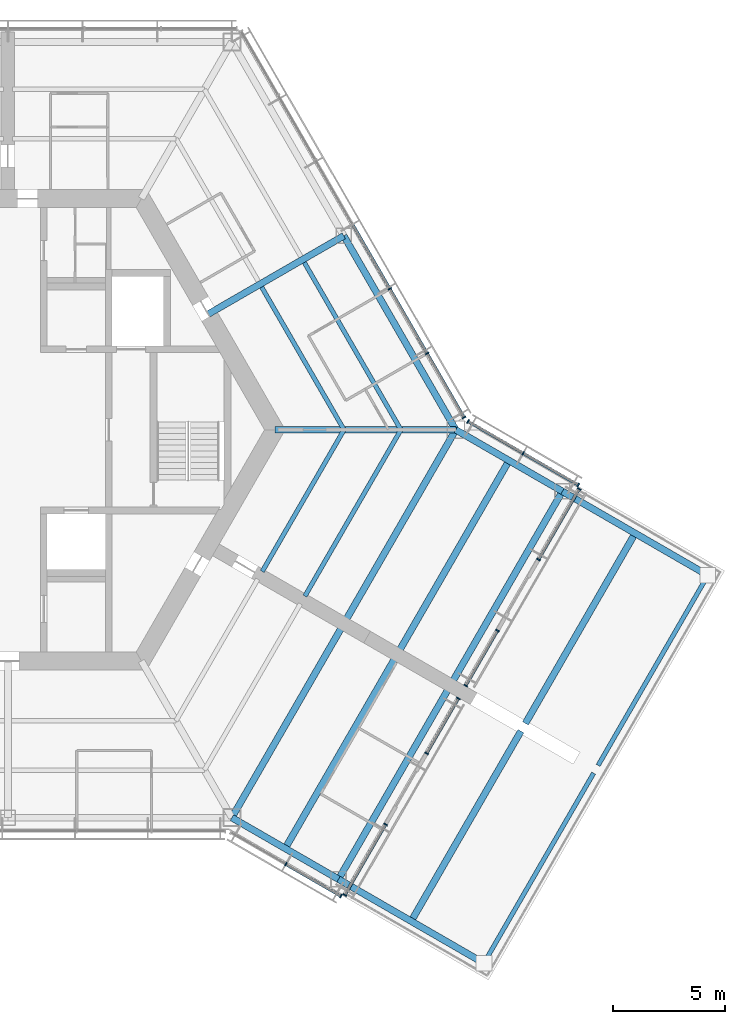
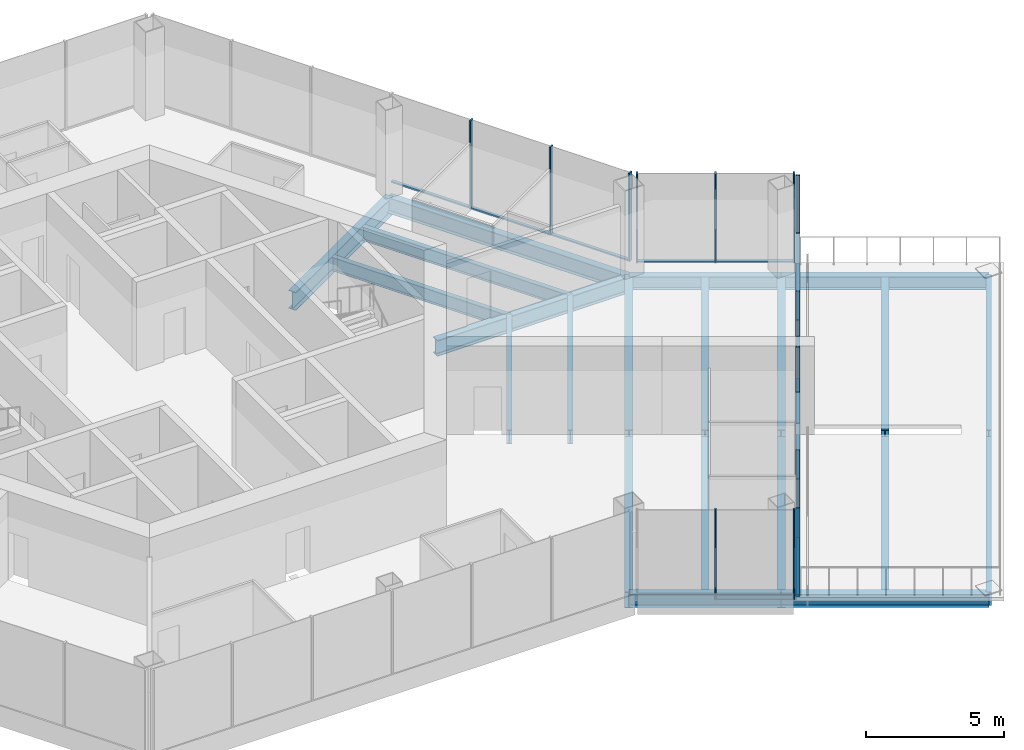
# One storey, part 4 of 13: 26 members, 21 beams, 7 elements without a shape of their own.
"""IFC4 building model written with IfcOpenShell, lengths in metres."""

from ifc_helpers import new_model, si_unit, direction, frame, origin, origin_2d, place, context, subcontext, project, spatial, rectangle, i_section, extrude, material, material_profile, profile_set, type_object, element, aggregate, save


model = new_model("IFC4")

# Units and contexts
model_context = context("Model", 3, precision=1e-05, world=origin(), true_north=direction((0.0, 1.0)))
body_context = subcontext(model_context, "Body", "Model", "MODEL_VIEW")
ifc_project = project(units=[si_unit("LENGTHUNIT", "METRE"), si_unit("AREAUNIT", "SQUARE_METRE"), si_unit("VOLUMEUNIT", "CUBIC_METRE"), si_unit("PLANEANGLEUNIT", "RADIAN"), si_unit("MASSUNIT", "GRAM", prefix="KILO")], contexts=[model_context])

# Site, building, storey
site_placement = place(None, origin())
site = spatial("IfcSite", under=ifc_project, at=site_placement, CompositionType="ELEMENT")
building_placement = place(site_placement, origin())
building = spatial("IfcBuilding", under=site, at=building_placement, Name="Kasaneha Research Tower", CompositionType="ELEMENT")
storey_placement = place(building_placement, frame((0.0, 0.0, 267.39990234375)))
storey = spatial("IfcBuildingStorey", under=building, at=storey_placement, Name="L67", CompositionType="ELEMENT", Elevation=267.39990234375)

# Beams
ifc_material_1 = material(Name="Steel SN490B", Category="steel")
ifc_material_profile_1 = material_profile(ifc_material_1, i_section(OverallWidth=0.199951171875, OverallDepth=0.60009765625, WebThickness=0.010986328125, FlangeThickness=0.01708984375, FilletRadius=0.012939453125, at=origin_2d()), Name="H-600x200x11x17")
ifc_profile_set_1 = profile_set([ifc_material_profile_1], Name="Steel SN490B")
beam_type_1 = type_object("IfcBeamType", Name="B1-3 secondary beam H-600x200x11x17", PredefinedType="JOIST", material=ifc_profile_set_1)
beam_1_placement = place(storey_placement, frame((15.010986328125, 0.0, -0.449951171875), z_axis=(-0.499994443168, 0.866028611999, 0.0), x_axis=(-0.866028611999, -0.499994443168, 0.0)))
element("IfcBeam", 1, at=beam_1_placement, inside=storey, type_object=beam_type_1, Name="Secondary beam RS030L1 L67", PredefinedType="JOIST", context=body_context, shape_type="SweptSolid", body=[
    extrude(i_section(OverallWidth=0.199951171875, OverallDepth=0.60009765625, WebThickness=0.010986328125, FlangeThickness=0.01708984375, FilletRadius=0.012939453125, at=origin_2d()), origin(), (0.0, 0.0, 1.0), 7.35546875),
])
beam_2_placement = place(storey_placement, frame((17.551513671875, 0.0, -0.449951171875), z_axis=(-0.5000050195, 0.866022505755, 0.0), x_axis=(-0.866022505755, -0.5000050195, 0.0)))
element("IfcBeam", 2, at=beam_2_placement, inside=storey, type_object=beam_type_1, Name="Secondary beam RS030L2 L67", PredefinedType="JOIST", context=body_context, shape_type="SweptSolid", body=[
    extrude(i_section(OverallWidth=0.199951171875, OverallDepth=0.60009765625, WebThickness=0.010986328125, FlangeThickness=0.01708984375, FilletRadius=0.012939453125, at=origin_2d()), origin(), (0.0, 0.0, 1.0), 8.6259765625),
])
beam_3_placement = place(storey_placement, frame((15.010986328125, 0.0, -0.449951171875), z_axis=(-0.499974128195, -0.866040340363, 0.0), x_axis=(0.866040340363, -0.499974128195, 0.0)))
element("IfcBeam", 3, at=beam_3_placement, inside=storey, type_object=beam_type_1, Name="Secondary beam RS330R1 L67", PredefinedType="JOIST", context=body_context, shape_type="SweptSolid", body=[
    extrude(i_section(OverallWidth=0.199951171875, OverallDepth=0.60009765625, WebThickness=0.010986328125, FlangeThickness=0.01708984375, FilletRadius=0.012939453125, at=origin_2d()), origin(), (0.0, 0.0, 1.0), 7.3056640625),
])
beam_4_placement = place(storey_placement, frame((17.551513671875, 0.0, -0.449951171875), z_axis=(-0.500000102728, -0.866025344474, 0.0), x_axis=(0.866025344474, -0.500000102728, 0.0)))
element("IfcBeam", 4, at=beam_4_placement, inside=storey, type_object=beam_type_1, Name="Secondary beam RS330R2 L67", PredefinedType="JOIST", context=body_context, shape_type="SweptSolid", body=[
    extrude(i_section(OverallWidth=0.199951171875, OverallDepth=0.60009765625, WebThickness=0.010986328125, FlangeThickness=0.01708984375, FilletRadius=0.012939453125, at=origin_2d()), origin(), (0.0, 0.0, 1.0), 8.57568359375),
])
ifc_material_2 = material(Name="Steel SN490B", Category="steel")
ifc_material_profile_2 = material_profile(ifc_material_2, i_section(OverallWidth=0.300048828125, OverallDepth=0.58203125, WebThickness=0.011962890625, FlangeThickness=0.01708984375, FilletRadius=0.012939453125, at=origin_2d()), Name="H-582x300x12x17")
ifc_profile_set_2 = profile_set([ifc_material_profile_2], Name="Steel SN490B")
beam_type_2 = type_object("IfcBeamType", Name="B2-3 secondary beam H-582x300x12x17", PredefinedType="JOIST", material=ifc_profile_set_2)
for number, where, z_axis, x_axis, name in (
    (5, (12.381591796875, -18.695556640625, -0.44091796875), (0.49999201416, 0.866030014362, 0.0), (-0.866030014362, 0.49999201416, 0.0), "Secondary beam WBCP1 L67"),
    (6, (18.0107421875, -21.945556640625, -0.44091796875), (0.49999201416, 0.866030014362, 0.0), (-0.866030014362, 0.49999201416, 0.0), "Secondary beam WBCP2 L67"),
    (7, (22.381591796875, -1.375, -0.44091796875), (-0.49999201416, -0.866030014362, 0.0), (0.866030014362, -0.49999201416, 0.0), "Secondary beam WBCN1 L67"),
    (8, (28.0107421875, -4.625, -0.44091796875), (-0.49999201416, -0.866030014362, 0.0), (0.866030014362, -0.49999201416, 0.0), "Secondary beam WBCN2 L67"),
):
    element("IfcBeam", number, at=place(storey_placement, frame(where, z_axis=z_axis, x_axis=x_axis)), inside=storey, type_object=beam_type_2, Name=name, PredefinedType="JOIST", context=body_context, shape_type="SweptSolid", body=[
        extrude(i_section(OverallWidth=0.300048828125, OverallDepth=0.58203125, WebThickness=0.011962890625, FlangeThickness=0.01708984375, FilletRadius=0.012939453125, at=origin_2d()), origin(), (0.0, 0.0, 1.0), 9.800048828125),
    ])

# Curtain wall, members
ifc_material_3 = material(Name="Glass and aluminium", Category="aluminium")
curtain_wall_type = type_object("IfcCurtainWallType", Name="Crown curtain wall", PredefinedType="USERDEFINED", material=ifc_material_3)
curtain_wall_1_placement = place(storey_placement, origin())
curtain_wall_1 = element("IfcCurtainWall", 9, at=curtain_wall_1_placement, inside=storey, type_object=curtain_wall_type, Name="CW-C L67 run 01a", ObjectType="UNITISED CURTAIN WALL", PredefinedType="USERDEFINED")
ifc_material_4 = material(Name="Aluminium 6063-T6", Category="aluminium")
ifc_material_profile_3 = material_profile(ifc_material_4, rectangle(XDim=0.06005859375, YDim=0.179931640625, at=origin_2d()), Name="CW-C mullion 60x180")
ifc_profile_set_3 = profile_set([ifc_material_profile_3], Name="Aluminium 6063-T6")
member_type_1 = type_object("IfcMemberType", Name="CW-C mullion", PredefinedType="MULLION", material=ifc_profile_set_3)
member_1_placement = place(storey_placement, frame((20.374267578125, 0.5517578125, 0.0), z_axis=(0.0, 0.0, 1.0), x_axis=(-0.499999979232, 0.866025415775, 0.0)))
member_1 = element("IfcMember", 10, at=member_1_placement, type_object=member_type_1, Name="CW-C mullion 1", PredefinedType="MULLION", context=body_context, shape_type="SweptSolid", body=[
    extrude(rectangle(XDim=0.06005859375, YDim=0.179931640625, at=origin_2d()), origin(), (0.0, 0.0, 1.0), 3.900146484375),
])
member_2_placement = place(storey_placement, frame((18.723876953125, 3.410400390625, 0.0), z_axis=(0.0, 0.0, 1.0), x_axis=(-0.499999979232, 0.866025415775, 0.0)))
member_2 = element("IfcMember", 11, at=member_2_placement, type_object=member_type_1, Name="CW-C mullion 2", PredefinedType="MULLION", context=body_context, shape_type="SweptSolid", body=[
    extrude(rectangle(XDim=0.06005859375, YDim=0.179931640625, at=origin_2d()), origin(), (0.0, 0.0, 1.0), 3.900146484375),
])
member_3_placement = place(storey_placement, frame((17.058349609375, 6.295166015625, 0.0), z_axis=(0.0, 0.0, 1.0), x_axis=(-0.499999979232, 0.866025415775, 0.0)))
member_3 = element("IfcMember", 12, at=member_3_placement, type_object=member_type_1, Name="CW-C mullion 3", PredefinedType="MULLION", context=body_context, shape_type="SweptSolid", body=[
    extrude(rectangle(XDim=0.06005859375, YDim=0.179931640625, at=origin_2d()), origin(), (0.0, 0.0, 1.0), 3.900146484375),
])

curtain_wall_2_placement = place(storey_placement, origin())
curtain_wall_2 = element("IfcCurtainWall", 13, at=curtain_wall_2_placement, inside=storey, type_object=curtain_wall_type, Name="CW-C L67 run 06a", ObjectType="UNITISED CURTAIN WALL", PredefinedType="USERDEFINED")
member_4_placement = place(storey_placement, frame((12.410888671875, -19.4052734375, 0.0), z_axis=(0.0, 0.0, 1.0), x_axis=(0.866025443395, -0.499999931393, 0.0)))
member_4 = element("IfcMember", 14, at=member_4_placement, type_object=member_type_1, Name="CW-C mullion 2", PredefinedType="MULLION", context=body_context, shape_type="SweptSolid", body=[
    extrude(rectangle(XDim=0.06005859375, YDim=0.179931640625, at=origin_2d()), origin(), (0.0, 0.0, 1.0), 3.900146484375),
])
member_5_placement = place(storey_placement, frame((14.8701171875, -20.8251953125, 0.0), z_axis=(0.0, 0.0, 1.0), x_axis=(0.866025443395, -0.499999931393, 0.0)))
member_5 = element("IfcMember", 15, at=member_5_placement, type_object=member_type_1, Name="CW-C mullion 3", PredefinedType="MULLION", context=body_context, shape_type="SweptSolid", body=[
    extrude(rectangle(XDim=0.06005859375, YDim=0.179931640625, at=origin_2d()), origin(), (0.0, 0.0, 1.0), 3.900146484375),
])

curtain_wall_3_placement = place(storey_placement, origin())
curtain_wall_3 = element("IfcCurtainWall", 16, at=curtain_wall_3_placement, inside=storey, type_object=curtain_wall_type, Name="CW-C L67 run 07a", ObjectType="UNITISED CURTAIN WALL", PredefinedType="USERDEFINED")
member_6_placement = place(storey_placement, frame((15.0478515625, -20.777587890625, 0.0), z_axis=(0.0, 0.0, 1.0), x_axis=(0.500000011442, 0.866025397178, 0.0)))
member_6 = element("IfcMember", 17, at=member_6_placement, type_object=member_type_1, Name="CW-C mullion 1", PredefinedType="MULLION", context=body_context, shape_type="SweptSolid", body=[
    extrude(rectangle(XDim=0.06005859375, YDim=0.179931640625, at=origin_2d()), origin(), (0.0, 0.0, 1.0), 3.900146484375),
])
member_7_placement = place(storey_placement, frame((16.86767578125, -17.625244140625, 0.0), z_axis=(0.0, 0.0, 1.0), x_axis=(0.500000011442, 0.866025397178, 0.0)))
member_7 = element("IfcMember", 18, at=member_7_placement, type_object=member_type_1, Name="CW-C mullion 2", PredefinedType="MULLION", context=body_context, shape_type="SweptSolid", body=[
    extrude(rectangle(XDim=0.06005859375, YDim=0.179931640625, at=origin_2d()), origin(), (0.0, 0.0, 1.0), 3.900146484375),
])

curtain_wall_4_placement = place(storey_placement, origin())
curtain_wall_4 = element("IfcCurtainWall", 19, at=curtain_wall_4_placement, inside=storey, type_object=curtain_wall_type, Name="CW-C L67 run 07c", ObjectType="UNITISED CURTAIN WALL", PredefinedType="USERDEFINED")
member_8_placement = place(storey_placement, frame((18.69775390625, -14.45556640625, 0.0), z_axis=(0.0, 0.0, 1.0), x_axis=(0.500000011442, 0.866025397178, 0.0)))
member_8 = element("IfcMember", 20, at=member_8_placement, type_object=member_type_1, Name="CW-C mullion 1", PredefinedType="MULLION", context=body_context, shape_type="SweptSolid", body=[
    extrude(rectangle(XDim=0.06005859375, YDim=0.179931640625, at=origin_2d()), origin(), (0.0, 0.0, 1.0), 3.900146484375),
])
member_9_placement = place(storey_placement, frame((20.11767578125, -11.99609375, 0.0), z_axis=(0.0, 0.0, 1.0), x_axis=(0.500000011442, 0.866025397178, 0.0)))
member_9 = element("IfcMember", 21, at=member_9_placement, type_object=member_type_1, Name="CW-C mullion 2", PredefinedType="MULLION", context=body_context, shape_type="SweptSolid", body=[
    extrude(rectangle(XDim=0.06005859375, YDim=0.179931640625, at=origin_2d()), origin(), (0.0, 0.0, 1.0), 3.900146484375),
])

curtain_wall_5_placement = place(storey_placement, origin())
curtain_wall_5 = element("IfcCurtainWall", 22, at=curtain_wall_5_placement, inside=storey, type_object=curtain_wall_type, Name="CW-C L67 run 08a", ObjectType="UNITISED CURTAIN WALL", PredefinedType="USERDEFINED")
member_10_placement = place(storey_placement, frame((20.44775390625, -11.424560546875, 0.0), z_axis=(0.0, 0.0, 1.0), x_axis=(0.500000011442, 0.866025397178, 0.0)))
member_10 = element("IfcMember", 23, at=member_10_placement, type_object=member_type_1, Name="CW-C mullion 1", PredefinedType="MULLION", context=body_context, shape_type="SweptSolid", body=[
    extrude(rectangle(XDim=0.06005859375, YDim=0.179931640625, at=origin_2d()), origin(), (0.0, 0.0, 1.0), 3.900146484375),
])
member_11_placement = place(storey_placement, frame((21.86767578125, -8.96484375, 0.0), z_axis=(0.0, 0.0, 1.0), x_axis=(0.500000011442, 0.866025397178, 0.0)))
member_11 = element("IfcMember", 24, at=member_11_placement, type_object=member_type_1, Name="CW-C mullion 2", PredefinedType="MULLION", context=body_context, shape_type="SweptSolid", body=[
    extrude(rectangle(XDim=0.06005859375, YDim=0.179931640625, at=origin_2d()), origin(), (0.0, 0.0, 1.0), 3.900146484375),
])

curtain_wall_6_placement = place(storey_placement, origin())
curtain_wall_6 = element("IfcCurtainWall", 25, at=curtain_wall_6_placement, inside=storey, type_object=curtain_wall_type, Name="CW-C L67 run 08c", ObjectType="UNITISED CURTAIN WALL", PredefinedType="USERDEFINED")
member_12_placement = place(storey_placement, frame((23.69775390625, -5.79541015625, 0.0), z_axis=(0.0, 0.0, 1.0), x_axis=(0.500000011442, 0.866025397178, 0.0)))
member_12 = element("IfcMember", 26, at=member_12_placement, type_object=member_type_1, Name="CW-C mullion 1", PredefinedType="MULLION", context=body_context, shape_type="SweptSolid", body=[
    extrude(rectangle(XDim=0.06005859375, YDim=0.179931640625, at=origin_2d()), origin(), (0.0, 0.0, 1.0), 3.900146484375),
])
member_13_placement = place(storey_placement, frame((25.517822265625, -2.64306640625, 0.0), z_axis=(0.0, 0.0, 1.0), x_axis=(0.500000011442, 0.866025397178, 0.0)))
member_13 = element("IfcMember", 27, at=member_13_placement, type_object=member_type_1, Name="CW-C mullion 2", PredefinedType="MULLION", context=body_context, shape_type="SweptSolid", body=[
    extrude(rectangle(XDim=0.06005859375, YDim=0.179931640625, at=origin_2d()), origin(), (0.0, 0.0, 1.0), 3.900146484375),
])

curtain_wall_7_placement = place(storey_placement, origin())
curtain_wall_7 = element("IfcCurtainWall", 28, at=curtain_wall_7_placement, inside=storey, type_object=curtain_wall_type, Name="CW-C L67 run 09a", ObjectType="UNITISED CURTAIN WALL", PredefinedType="USERDEFINED")
member_14_placement = place(storey_placement, frame((25.47021484375, -2.46533203125, 0.0), z_axis=(0.0, 0.0, 1.0), x_axis=(-0.866025443395, 0.499999931393, 0.0)))
member_14 = element("IfcMember", 29, at=member_14_placement, type_object=member_type_1, Name="CW-C mullion 1", PredefinedType="MULLION", context=body_context, shape_type="SweptSolid", body=[
    extrude(rectangle(XDim=0.06005859375, YDim=0.179931640625, at=origin_2d()), origin(), (0.0, 0.0, 1.0), 3.900146484375),
])
member_15_placement = place(storey_placement, frame((23.010986328125, -1.045654296875, 0.0), z_axis=(0.0, 0.0, 1.0), x_axis=(-0.866025443395, 0.499999931393, 0.0)))
member_15 = element("IfcMember", 30, at=member_15_placement, type_object=member_type_1, Name="CW-C mullion 2", PredefinedType="MULLION", context=body_context, shape_type="SweptSolid", body=[
    extrude(rectangle(XDim=0.06005859375, YDim=0.179931640625, at=origin_2d()), origin(), (0.0, 0.0, 1.0), 3.900146484375),
])
member_16_placement = place(storey_placement, frame((20.5517578125, 0.374267578125, 0.0), z_axis=(0.0, 0.0, 1.0), x_axis=(-0.866025443395, 0.499999931393, 0.0)))
member_16 = element("IfcMember", 31, at=member_16_placement, type_object=member_type_1, Name="CW-C mullion 3", PredefinedType="MULLION", context=body_context, shape_type="SweptSolid", body=[
    extrude(rectangle(XDim=0.06005859375, YDim=0.179931640625, at=origin_2d()), origin(), (0.0, 0.0, 1.0), 3.900146484375),
])

# Member
ifc_material_5 = material(Name="Aluminium 6063-T6", Category="aluminium")
ifc_material_profile_4 = material_profile(ifc_material_5, rectangle(XDim=0.1298828125, YDim=0.06005859375, at=origin_2d()), Name="CW-C transom 130x60")
ifc_profile_set_4 = profile_set([ifc_material_profile_4], Name="Aluminium 6063-T6")
member_type_2 = type_object("IfcMemberType", Name="CW-C transom", PredefinedType="USERDEFINED", material=ifc_profile_set_4)
member_17_placement = place(storey_placement, frame((20.359130859375, 0.577880859375, 0.030029296875), z_axis=(-0.499987643696, 0.866032537582, 0.0), x_axis=(-0.866032537582, -0.499987643696, 0.0)))
member_17 = element("IfcMember", 32, at=member_17_placement, type_object=member_type_2, Name="CW-C transom 1", ObjectType="TRANSOM", PredefinedType="USERDEFINED", context=body_context, shape_type="SweptSolid", body=[
    extrude(rectangle(XDim=0.1298828125, YDim=0.06005859375, at=origin_2d()), origin(), (0.0, 0.0, 1.0), 3.24072265625),
])

member_18_placement = place(storey_placement, frame((18.708740234375, 3.4365234375, 0.030029296875), z_axis=(-0.500000270186, 0.866025247793, 0.0), x_axis=(-0.866025247793, -0.500000270186, 0.0)))
member_18 = element("IfcMember", 33, at=member_18_placement, type_object=member_type_2, Name="CW-C transom 2", ObjectType="TRANSOM", PredefinedType="USERDEFINED", context=body_context, shape_type="SweptSolid", body=[
    extrude(rectangle(XDim=0.1298828125, YDim=0.06005859375, at=origin_2d()), origin(), (0.0, 0.0, 1.0), 3.27099609375),
])

member_19_placement = place(storey_placement, frame((17.043212890625, 6.3212890625, 0.030029296875), z_axis=(-0.50003259116, 0.866006586452, 0.0), x_axis=(-0.866006586452, -0.50003259116, 0.0)))
member_19 = element("IfcMember", 34, at=member_19_placement, type_object=member_type_2, Name="CW-C transom 3", ObjectType="TRANSOM", PredefinedType="USERDEFINED", context=body_context, shape_type="SweptSolid", body=[
    extrude(rectangle(XDim=0.1298828125, YDim=0.06005859375, at=origin_2d()), origin(), (0.0, 0.0, 1.0), 3.270751953125),
])

aggregate(curtain_wall_1, [member_1, member_2, member_3, member_17, member_18, member_19])

member_20_placement = place(storey_placement, frame((12.43701171875, -19.42041015625, 0.030029296875), z_axis=(0.866051024128, -0.499955621637, 0.0), x_axis=(0.499955621637, 0.866051024128, 0.0)))
member_20 = element("IfcMember", 35, at=member_20_placement, type_object=member_type_2, Name="CW-C transom 2", ObjectType="TRANSOM", PredefinedType="USERDEFINED", context=body_context, shape_type="SweptSolid", body=[
    extrude(rectangle(XDim=0.1298828125, YDim=0.06005859375, at=origin_2d()), origin(), (0.0, 0.0, 1.0), 2.779541015625),
])

aggregate(curtain_wall_2, [member_4, member_5, member_20])

member_21_placement = place(storey_placement, frame((15.062744140625, -20.75146484375, 0.030029296875), z_axis=(0.500011709085, 0.866018643436, 0.0), x_axis=(-0.866018643436, 0.500011709085, 0.0)))
member_21 = element("IfcMember", 36, at=member_21_placement, type_object=member_type_2, Name="CW-C transom 1", ObjectType="TRANSOM", PredefinedType="USERDEFINED", context=body_context, shape_type="SweptSolid", body=[
    extrude(rectangle(XDim=0.1298828125, YDim=0.06005859375, at=origin_2d()), origin(), (0.0, 0.0, 1.0), 3.580078125),
])

aggregate(curtain_wall_3, [member_6, member_7, member_21])

member_22_placement = place(storey_placement, frame((18.712646484375, -14.4296875, 0.030029296875), z_axis=(0.500011304563, 0.866018876994, 0.0), x_axis=(-0.866018876994, 0.500011304563, 0.0)))
member_22 = element("IfcMember", 37, at=member_22_placement, type_object=member_type_2, Name="CW-C transom 1", ObjectType="TRANSOM", PredefinedType="USERDEFINED", context=body_context, shape_type="SweptSolid", body=[
    extrude(rectangle(XDim=0.1298828125, YDim=0.06005859375, at=origin_2d()), origin(), (0.0, 0.0, 1.0), 2.7802734375),
])

aggregate(curtain_wall_4, [member_8, member_9, member_22])

member_23_placement = place(storey_placement, frame((20.462646484375, -11.3984375, 0.030029296875), z_axis=(0.500049332001, 0.865996920067, 0.0), x_axis=(-0.865996920067, 0.500049332001, 0.0)))
member_23 = element("IfcMember", 38, at=member_23_placement, type_object=member_type_2, Name="CW-C transom 1", ObjectType="TRANSOM", PredefinedType="USERDEFINED", context=body_context, shape_type="SweptSolid", body=[
    extrude(rectangle(XDim=0.1298828125, YDim=0.06005859375, at=origin_2d()), origin(), (0.0, 0.0, 1.0), 2.780029296875),
])

aggregate(curtain_wall_5, [member_10, member_11, member_23])

member_24_placement = place(storey_placement, frame((23.712646484375, -5.769287109375, 0.030029296875), z_axis=(0.500011709085, 0.866018643436, 0.0), x_axis=(-0.866018643436, 0.500011709085, 0.0)))
member_24 = element("IfcMember", 39, at=member_24_placement, type_object=member_type_2, Name="CW-C transom 1", ObjectType="TRANSOM", PredefinedType="USERDEFINED", context=body_context, shape_type="SweptSolid", body=[
    extrude(rectangle(XDim=0.1298828125, YDim=0.06005859375, at=origin_2d()), origin(), (0.0, 0.0, 1.0), 3.580078125),
])

aggregate(curtain_wall_6, [member_12, member_13, member_24])

member_25_placement = place(storey_placement, frame((25.444091796875, -2.450439453125, 0.030029296875), z_axis=(-0.866012991964, 0.500021497287, 0.0), x_axis=(-0.500021497287, -0.866012991964, 0.0)))
member_25 = element("IfcMember", 40, at=member_25_placement, type_object=member_type_2, Name="CW-C transom 1", ObjectType="TRANSOM", PredefinedType="USERDEFINED", context=body_context, shape_type="SweptSolid", body=[
    extrude(rectangle(XDim=0.1298828125, YDim=0.06005859375, at=origin_2d()), origin(), (0.0, 0.0, 1.0), 2.77978515625),
])

member_26_placement = place(storey_placement, frame((22.985107421875, -1.030517578125, 0.030029296875), z_axis=(-0.866051024128, 0.499955621637, 0.0), x_axis=(-0.499955621637, -0.866051024128, 0.0)))
member_26 = element("IfcMember", 41, at=member_26_placement, type_object=member_type_2, Name="CW-C transom 2", ObjectType="TRANSOM", PredefinedType="USERDEFINED", context=body_context, shape_type="SweptSolid", body=[
    extrude(rectangle(XDim=0.1298828125, YDim=0.06005859375, at=origin_2d()), origin(), (0.0, 0.0, 1.0), 2.779541015625),
])

aggregate(curtain_wall_7, [member_14, member_15, member_16, member_25, member_26])

# Beams
ifc_material_6 = material(Name="Steel SN490B", Category="steel")
ifc_material_profile_5 = material_profile(ifc_material_6, i_section(OverallWidth=0.300048828125, OverallDepth=0.699951171875, WebThickness=0.012939453125, FlangeThickness=0.02392578125, FilletRadius=0.01806640625, at=origin_2d()), Name="H-700x300x13x24")
ifc_profile_set_5 = profile_set([ifc_material_profile_5], Name="Steel SN490B")
beam_type_3 = type_object("IfcBeamType", Name="G1-3 radial girder H-700x300x13x24", PredefinedType="BEAM", material=ifc_profile_set_5)
beam_5_placement = place(storey_placement, frame((11.92236328125, 0.0, -0.5), z_axis=(1.0, 0.0, 0.0), x_axis=(0.0, 1.0, 0.0)))
element("IfcBeam", 42, at=beam_5_placement, inside=storey, type_object=beam_type_3, Name="Radial girder RV000 L67", PredefinedType="BEAM", context=body_context, shape_type="SweptSolid", body=[
    extrude(i_section(OverallWidth=0.300048828125, OverallDepth=0.699951171875, WebThickness=0.012939453125, FlangeThickness=0.02392578125, FilletRadius=0.01806640625, at=origin_2d()), origin(), (0.0, 0.0, 1.0), 8.07763671875),
])
ifc_material_7 = material(Name="Steel SN490B", Category="steel")
ifc_material_profile_6 = material_profile(ifc_material_7, i_section(OverallWidth=0.300048828125, OverallDepth=0.800048828125, WebThickness=0.013916015625, FlangeThickness=0.02587890625, FilletRadius=0.01806640625, at=origin_2d()), Name="H-800x300x14x26")
ifc_profile_set_6 = profile_set([ifc_material_profile_6], Name="Steel SN490B")
beam_type_4 = type_object("IfcBeamType", Name="G2-3 radial girder H-800x300x14x26", PredefinedType="BEAM", material=ifc_profile_set_6)
beam_6_placement = place(storey_placement, frame((8.941650390625, 5.16259765625, -0.5498046875), z_axis=(0.866039713508, 0.499975214012, 0.0), x_axis=(-0.499975214012, 0.866039713508, 0.0)))
element("IfcBeam", 43, at=beam_6_placement, inside=storey, type_object=beam_type_4, Name="Radial girder RM030 L67", PredefinedType="BEAM", context=body_context, shape_type="SweptSolid", body=[
    extrude(i_section(OverallWidth=0.300048828125, OverallDepth=0.800048828125, WebThickness=0.013916015625, FlangeThickness=0.02587890625, FilletRadius=0.01806640625, at=origin_2d()), origin(), (0.0, 0.0, 1.0), 6.995361328125),
])
ifc_material_8 = material(Name="Steel SN490B", Category="steel")
ifc_material_profile_7 = material_profile(ifc_material_8, i_section(OverallWidth=0.300048828125, OverallDepth=0.69189453125, WebThickness=0.012939453125, FlangeThickness=0.02001953125, FilletRadius=0.01806640625, at=origin_2d()), Name="H-692x300x13x20")
ifc_profile_set_7 = profile_set([ifc_material_profile_7], Name="Steel SN490B")
beam_type_5 = type_object("IfcBeamType", Name="G3-3 plate edge girder H-692x300x13x20", PredefinedType="BEAM", material=ifc_profile_set_7)
for number, where, z_axis, x_axis, name in (
    (44, (10.0, -17.320556640625, -0.495849609375), (0.49999201416, 0.866030014362, 0.0), (-0.866030014362, 0.49999201416, 0.0), "Plate edge girder PECP L67"),
    (45, (20.0, 0.0, -0.495849609375), (-0.49999201416, -0.866030014362, 0.0), (0.866030014362, -0.49999201416, 0.0), "Plate edge girder PECN L67"),
):
    element("IfcBeam", number, at=place(storey_placement, frame(where, z_axis=z_axis, x_axis=x_axis)), inside=storey, type_object=beam_type_5, Name=name, PredefinedType="BEAM", context=body_context, shape_type="SweptSolid", body=[
        extrude(i_section(OverallWidth=0.300048828125, OverallDepth=0.69189453125, WebThickness=0.012939453125, FlangeThickness=0.02001953125, FilletRadius=0.01806640625, at=origin_2d()), origin(), (0.0, 0.0, 1.0), 9.800048828125),
    ])
ifc_material_9 = material(Name="Steel SN490B", Category="steel")
ifc_material_profile_8 = material_profile(ifc_material_9, i_section(OverallWidth=0.300048828125, OverallDepth=0.699951171875, WebThickness=0.012939453125, FlangeThickness=0.02392578125, FilletRadius=0.01806640625, at=origin_2d()), Name="H-700x300x13x24")
ifc_profile_set_8 = profile_set([ifc_material_profile_8], Name="Steel SN490B")
beam_type_6 = type_object("IfcBeamType", Name="G4-3 wing girder H-700x300x13x24", PredefinedType="BEAM", material=ifc_profile_set_8)
for number, where, z_axis, x_axis, name in (
    (46, (14.76318359375, -20.070556640625, -0.5), (0.49999201416, 0.866030014362, 0.0), (-0.866030014362, 0.49999201416, 0.0), "Wing girder WGCP L67"),
    (47, (24.76318359375, -2.75, -0.5), (-0.500010698315, -0.866019227021, 0.0), (0.866019227021, -0.500010698315, 0.0), "Wing girder WGCN L67"),
):
    element("IfcBeam", number, at=place(storey_placement, frame(where, z_axis=z_axis, x_axis=x_axis)), inside=storey, type_object=beam_type_6, Name=name, PredefinedType="BEAM", context=body_context, shape_type="SweptSolid", body=[
        extrude(i_section(OverallWidth=0.300048828125, OverallDepth=0.699951171875, WebThickness=0.012939453125, FlangeThickness=0.02392578125, FilletRadius=0.01806640625, at=origin_2d()), origin(), (0.0, 0.0, 1.0), 9.800048828125),
    ])
ifc_material_10 = material(Name="Steel SN490B", Category="steel")
ifc_material_profile_9 = material_profile(ifc_material_10, i_section(OverallWidth=0.300048828125, OverallDepth=0.69189453125, WebThickness=0.012939453125, FlangeThickness=0.02001953125, FilletRadius=0.01806640625, at=origin_2d()), Name="H-692x300x13x20")
ifc_profile_set_9 = profile_set([ifc_material_profile_9], Name="Steel SN490B")
beam_type_7 = type_object("IfcBeamType", Name="SB1-3 spandrel beam H-692x300x13x20", PredefinedType="SPANDREL", material=ifc_profile_set_9)
beam_7_placement = place(storey_placement, frame((20.0, 0.0, -0.495849609375), z_axis=(-0.500004234368, 0.866022959057, 0.0), x_axis=(-0.866022959057, -0.500004234368, 0.0)))
element("IfcBeam", 48, at=beam_7_placement, inside=storey, type_object=beam_type_7, Name="Spandrel beam SR030L L67", PredefinedType="SPANDREL", context=body_context, shape_type="SweptSolid", body=[
    extrude(i_section(OverallWidth=0.300048828125, OverallDepth=0.69189453125, WebThickness=0.012939453125, FlangeThickness=0.02001953125, FilletRadius=0.01806640625, at=origin_2d()), origin(), (0.0, 0.0, 1.0), 10.0),
])
ifc_material_11 = material(Name="Steel SN490B", Category="steel")
ifc_material_profile_10 = material_profile(ifc_material_11, i_section(OverallWidth=0.300048828125, OverallDepth=0.58203125, WebThickness=0.011962890625, FlangeThickness=0.01708984375, FilletRadius=0.012939453125, at=origin_2d()), Name="H-582x300x12x17")
ifc_profile_set_10 = profile_set([ifc_material_profile_10], Name="Steel SN490B")
beam_type_8 = type_object("IfcBeamType", Name="SB2-3 spandrel beam H-582x300x12x17", PredefinedType="SPANDREL", material=ifc_profile_set_10)
beam_8_placement = place(storey_placement, frame((10.0, -17.320556640625, -0.44091796875), z_axis=(0.866027397988, -0.499996545922, 0.0), x_axis=(0.499996545922, 0.866027397988, 0.0)))
element("IfcBeam", 49, at=beam_8_placement, inside=storey, type_object=beam_type_8, Name="Spandrel beam WSCP1 L67", PredefinedType="SPANDREL", context=body_context, shape_type="SweptSolid", body=[
    extrude(i_section(OverallWidth=0.300048828125, OverallDepth=0.58203125, WebThickness=0.011962890625, FlangeThickness=0.01708984375, FilletRadius=0.012939453125, at=origin_2d()), origin(), (0.0, 0.0, 1.0), 5.5),
])
beam_9_placement = place(storey_placement, frame((14.76318359375, -20.070556640625, -0.44091796875), z_axis=(0.866022959057, -0.500004234368, 0.0), x_axis=(0.500004234368, 0.866022959057, 0.0)))
element("IfcBeam", 50, at=beam_9_placement, inside=storey, type_object=beam_type_8, Name="Spandrel beam WSCP2 L67", PredefinedType="SPANDREL", context=body_context, shape_type="SweptSolid", body=[
    extrude(i_section(OverallWidth=0.300048828125, OverallDepth=0.58203125, WebThickness=0.011962890625, FlangeThickness=0.01708984375, FilletRadius=0.012939453125, at=origin_2d()), origin(), (0.0, 0.0, 1.0), 7.5),
])
beam_10_placement = place(storey_placement, frame((20.0, 0.0, -0.44091796875), z_axis=(0.866027397988, -0.499996545922, 0.0), x_axis=(0.499996545922, 0.866027397988, 0.0)))
element("IfcBeam", 51, at=beam_10_placement, inside=storey, type_object=beam_type_8, Name="Spandrel beam WSCN1 L67", PredefinedType="SPANDREL", context=body_context, shape_type="SweptSolid", body=[
    extrude(i_section(OverallWidth=0.300048828125, OverallDepth=0.58203125, WebThickness=0.011962890625, FlangeThickness=0.01708984375, FilletRadius=0.012939453125, at=origin_2d()), origin(), (0.0, 0.0, 1.0), 5.5),
])
beam_11_placement = place(storey_placement, frame((24.76318359375, -2.75, -0.44091796875), z_axis=(0.866022959057, -0.500004234368, 0.0), x_axis=(0.500004234368, 0.866022959057, 0.0)))
element("IfcBeam", 52, at=beam_11_placement, inside=storey, type_object=beam_type_8, Name="Spandrel beam WSCN2 L67", PredefinedType="SPANDREL", context=body_context, shape_type="SweptSolid", body=[
    extrude(i_section(OverallWidth=0.300048828125, OverallDepth=0.58203125, WebThickness=0.011962890625, FlangeThickness=0.01708984375, FilletRadius=0.012939453125, at=origin_2d()), origin(), (0.0, 0.0, 1.0), 7.5),
])
ifc_material_12 = material(Name="Steel SN490B", Category="steel")
ifc_material_profile_11 = material_profile(ifc_material_12, i_section(OverallWidth=0.199951171875, OverallDepth=0.60009765625, WebThickness=0.010986328125, FlangeThickness=0.01708984375, FilletRadius=0.012939453125, at=origin_2d()), Name="H-600x200x11x17")
ifc_profile_set_11 = profile_set([ifc_material_profile_11], Name="Steel SN490B")
beam_type_9 = type_object("IfcBeamType", Name="SB3-3 spandrel beam H-600x200x11x17", PredefinedType="SPANDREL", material=ifc_profile_set_11)
for number, where, z_axis, x_axis, name in (
    (53, (21.25830078125, -23.820556640625, -0.449951171875), (0.500010698315, 0.866019227021, 0.0), (-0.866019227021, 0.500010698315, 0.0), "Spandrel beam WTCP L67"),
    (54, (31.25830078125, -6.5, -0.449951171875), (-0.49999201416, -0.866030014362, 0.0), (0.866030014362, -0.49999201416, 0.0), "Spandrel beam WTCN L67"),
):
    element("IfcBeam", number, at=place(storey_placement, frame(where, z_axis=z_axis, x_axis=x_axis)), inside=storey, type_object=beam_type_9, Name=name, PredefinedType="SPANDREL", context=body_context, shape_type="SweptSolid", body=[
        extrude(i_section(OverallWidth=0.199951171875, OverallDepth=0.60009765625, WebThickness=0.010986328125, FlangeThickness=0.01708984375, FilletRadius=0.012939453125, at=origin_2d()), origin(), (0.0, 0.0, 1.0), 9.800048828125),
    ])

save(model, "model.ifc")
